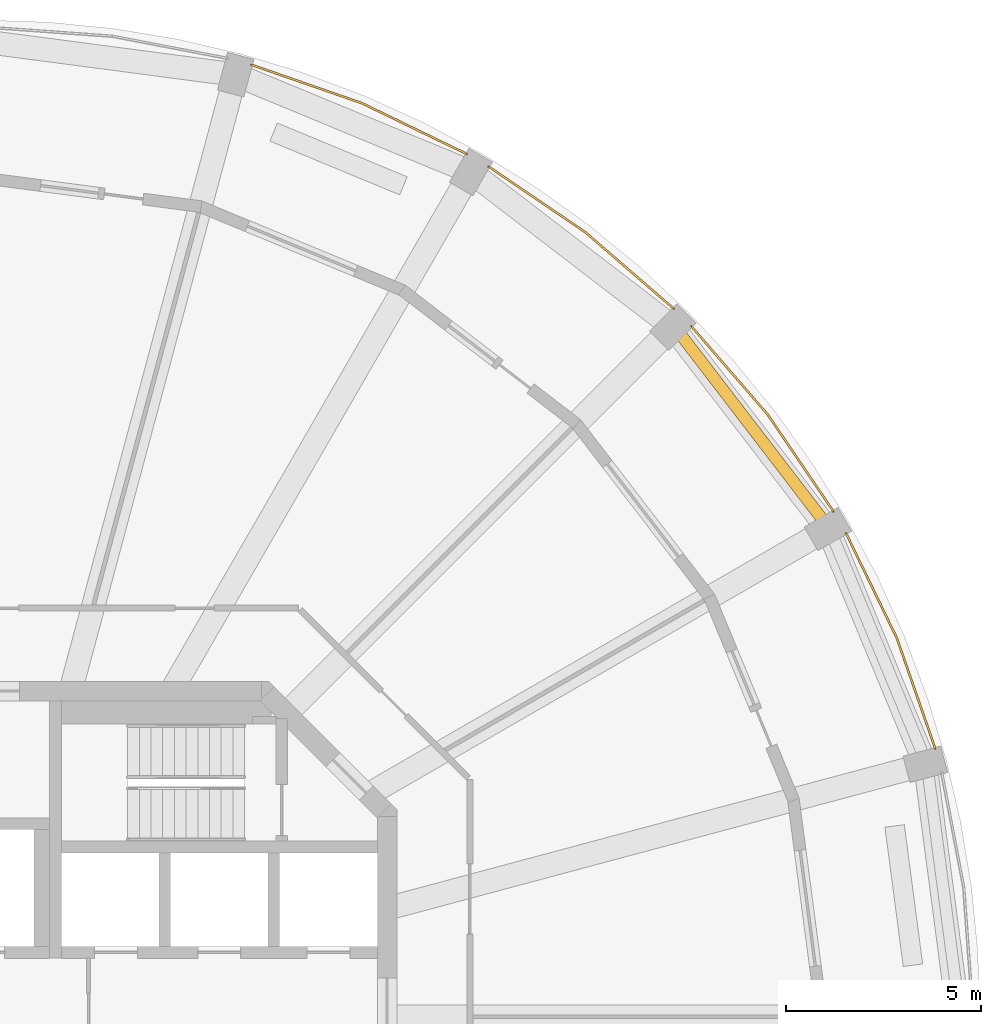
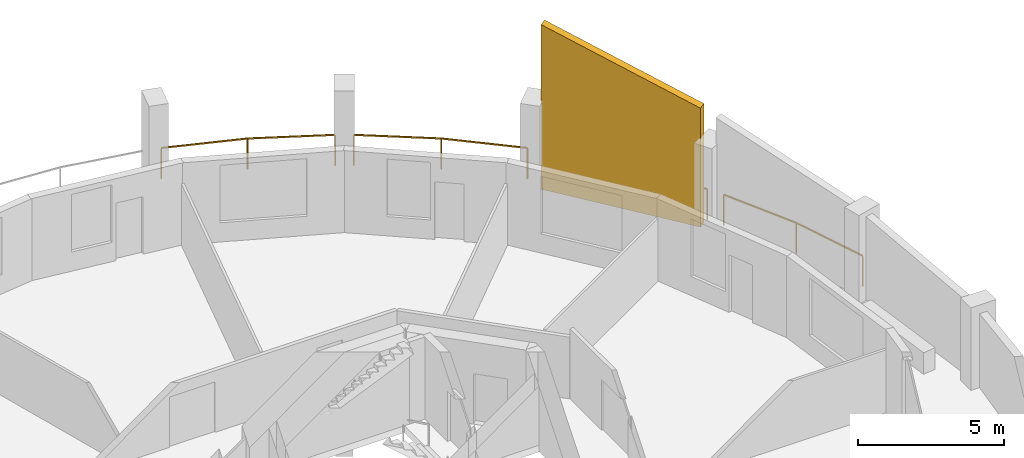
# One storey, part 8 of 8: 4 railings, 1 shading device.
"""IFC4 building model written with IfcOpenShell, lengths in metres."""

import ifcopenshell
import ifcopenshell.guid

model = None  # the IFC model being written
_history = None  # IfcOwnerHistory: only IFC2X3 demands one
_inside = {}  # id of a spatial element -> (the spatial element, [elements in it])
_under = {}  # id of a project, library or spatial element -> (it, [spatial elements below it])
_declared = {}  # id of a project -> (the project, [libraries it declares])
_typed = {}  # id of a type object -> (the type object, [elements of that type])
_made_of = {}  # id of a material, layer set ... -> (it, [elements and type objects made of it])


def new_model(schema):
    """Start an empty IFC model of exactly this schema.

    Asked for "IFC4X3", IfcOpenShell would pick the latest addendum, in which some entities
    have other attributes; the version numbers below select the first issue.
    IFC2X3 requires an IfcOwnerHistory on every rooted entity: one is made here for all.
    """
    global model, _history
    if schema == "IFC4X3":
        model = ifcopenshell.file(schema_version=(4, 3, 0, 0))
    else:
        model = ifcopenshell.file(schema=schema)
    _inside.clear()
    _under.clear()
    _declared.clear()
    _typed.clear()
    _made_of.clear()
    _history = None
    if model.schema == "IFC2X3":
        org = make("IfcOrganization", Name="unknown")
        user = make(
            "IfcPersonAndOrganization",
            ThePerson=make("IfcPerson", FamilyName="unknown"),
            TheOrganization=org,
        )
        app = make(
            "IfcApplication",
            ApplicationDeveloper=org,
            Version="unknown",
            ApplicationFullName="unknown",
            ApplicationIdentifier="unknown",
        )
        _history = make(
            "IfcOwnerHistory",
            OwningUser=user,
            OwningApplication=app,
            ChangeAction="ADDED",
            CreationDate=0,
        )
    return model


def make(cls, **values):
    """One entity of the class cls with the attributes given. An attribute that is None is left unset."""
    return model.create_entity(
        cls, **{name: value for name, value in values.items() if value is not None}
    )


def rooted(cls, **values):
    """An entity with a GlobalId (a new one), such as an element, a storey or a relation."""
    return make(cls, GlobalId=ifcopenshell.guid.new(), OwnerHistory=_history, **values)


def si_unit(unit_type, name, prefix=None):
    """IfcSIUnit, for example si_unit("LENGTHUNIT", "METRE", prefix="MILLI")."""
    return make("IfcSIUnit", UnitType=unit_type, Prefix=prefix, Name=name)


def assignment(units):
    """IfcUnitAssignment: the units of a project."""
    return None if units is None else make("IfcUnitAssignment", Units=units)


def point(xyz):
    """IfcCartesianPoint."""
    return None if xyz is None else make("IfcCartesianPoint", Coordinates=xyz)


def direction(xyz):
    """IfcDirection."""
    return None if xyz is None else make("IfcDirection", DirectionRatios=xyz)


def frame(location, z_axis=None, x_axis=None):
    """IfcAxis2Placement3D, a coordinate frame: its origin and axes. An axis left out is left unset."""
    return make(
        "IfcAxis2Placement3D",
        Location=point(location),
        Axis=direction(z_axis),
        RefDirection=direction(x_axis),
    )


def frame_2d(location, x_axis=None):
    """IfcAxis2Placement2D, a coordinate frame in the plane: its origin and x axis."""
    return make(
        "IfcAxis2Placement2D", Location=point(location), RefDirection=direction(x_axis)
    )


def origin():
    """The frame at (0, 0, 0) with its axes left unset."""
    return frame((0.0, 0.0, 0.0))


def origin_2d():
    """The frame at (0, 0) in the plane with its x axis left unset."""
    return frame_2d((0.0, 0.0))


def place(relative_to, where):
    """IfcLocalPlacement: puts the frame where relative to a parent placement (None: the world)."""
    return make(
        "IfcLocalPlacement", PlacementRelTo=relative_to, RelativePlacement=where
    )


def context(
    kind, dimensions, precision=None, world=None, true_north=None, identifier=None
):
    """IfcGeometricRepresentationContext, for example the 3D "Model" context."""
    return make(
        "IfcGeometricRepresentationContext",
        ContextIdentifier=identifier,
        ContextType=kind,
        CoordinateSpaceDimension=dimensions,
        Precision=precision,
        WorldCoordinateSystem=world,
        TrueNorth=true_north,
    )


def subcontext(parent, identifier, kind, view, scale=None):
    """IfcGeometricRepresentationSubContext, for example "Body" below "Model"."""
    return make(
        "IfcGeometricRepresentationSubContext",
        ContextIdentifier=identifier,
        ContextType=kind,
        ParentContext=parent,
        TargetScale=scale,
        TargetView=view,
    )


def project(units=None, contexts=None):
    """IfcProject with its units and contexts."""
    return rooted(
        "IfcProject",
        Name="project",
        RepresentationContexts=contexts,
        UnitsInContext=assignment(units),
    )


def spatial(cls, under=None, at=None, **own):
    """A site, building, storey or space (cls), placed at a placement, below another one or the project."""
    s = rooted(cls, ObjectPlacement=at, **own)
    if under is not None:
        _under.setdefault(under.id(), (under, []))[1].append(s)
    return s


def polyline(points):
    """IfcPolyline through the points."""
    return make("IfcPolyline", Points=[point(p) for p in points])


def profile(cls, at=None, kind="AREA", **sizes):
    """A parametric profile (cls). Its sizes go by their IFC names, for example OverallWidth=200.0."""
    return make(cls, ProfileType=kind, Position=at, **sizes)


def rectangle(**sizes):
    """IfcRectangleProfileDef."""
    return profile("IfcRectangleProfileDef", **sizes)


def outline(outer, holes=None, kind="AREA"):
    """IfcArbitraryClosedProfileDef: a profile drawn as a closed curve; with holes, ...WithVoids."""
    if holes is None:
        return make("IfcArbitraryClosedProfileDef", ProfileType=kind, OuterCurve=outer)
    return make(
        "IfcArbitraryProfileDefWithVoids",
        ProfileType=kind,
        OuterCurve=outer,
        InnerCurves=holes,
    )


def extrude(swept, where, along, depth):
    """IfcExtrudedAreaSolid: the profile swept, set in the frame where, extruded along a direction by depth."""
    return make(
        "IfcExtrudedAreaSolid",
        SweptArea=swept,
        Position=where,
        ExtrudedDirection=direction(along),
        Depth=depth,
    )


def shape(context_of_items, identifier, shape_type, items):
    """IfcShapeRepresentation: the items that make up one representation, for example the "Body"."""
    return make(
        "IfcShapeRepresentation",
        ContextOfItems=context_of_items,
        RepresentationIdentifier=identifier,
        RepresentationType=shape_type,
        Items=items,
    )


def material(Name=None, Category=None):
    """IfcMaterial."""
    return make("IfcMaterial", Name=Name, Category=Category)


def made_of(thing, what):
    """Note that an element or type object is made of a material, layer set ...; save() writes the relation."""
    if what is not None:
        _made_of.setdefault(what.id(), (what, []))[1].append(thing)
    return thing


def type_object(cls, material=None, **own):
    """A type object (cls), such as IfcWallType, which elements share."""
    return made_of(rooted(cls, **own), material)


def element(
    cls,
    number,
    at=None,
    inside=None,
    cuts=None,
    type_object=None,
    material=None,
    context=None,
    identifier="Body",
    shape_type=None,
    held_by="IfcProductDefinitionShape",
    body=None,
    shapes=None,
    **own,
):
    """One element of the class cls, such as IfcWall. Its Tag is "e" and its number.

    at: its placement. inside: the storey or other place that contains it. cuts: it is an
    opening in that element (IfcRelVoidsElement). A single representation is given by context,
    identifier, shape_type and body (its items); several are given by shapes. held_by: the class
    of the entity that holds the representations. save() writes the other relations.
    """
    e = rooted(cls, Tag="e%d" % number, ObjectPlacement=at, **own)
    if body is not None:
        shapes = [shape(context, identifier, shape_type, body)]
    if shapes is not None:
        e.Representation = make(held_by, Representations=shapes)
    if inside is not None:
        _inside.setdefault(inside.id(), (inside, []))[1].append(e)
    if cuts is not None:
        rooted(
            "IfcRelVoidsElement", RelatingBuildingElement=cuts, RelatedOpeningElement=e
        )
    if type_object is not None:
        _typed.setdefault(type_object.id(), (type_object, []))[1].append(e)
    return made_of(e, material)


def aggregate(whole, parts):
    """IfcRelAggregates: a whole, such as a stair, and the parts it consists of."""
    return rooted("IfcRelAggregates", RelatingObject=whole, RelatedObjects=parts)


def save(model, path):
    """Write the relations noted so far, then the file.

    IfcRelAggregates (storeys below a building ...), IfcRelContainedInSpatialStructure (elements
    in a storey), IfcRelDefinesByType, IfcRelAssociatesMaterial and IfcRelDeclares: one each for
    every whole, place, type object, material and project.
    """
    for whole, parts in _under.values():
        aggregate(whole, parts)
    for where, things in _inside.values():
        rooted(
            "IfcRelContainedInSpatialStructure",
            RelatedElements=things,
            RelatingStructure=where,
        )
    for kind, things in _typed.values():
        rooted("IfcRelDefinesByType", RelatedObjects=things, RelatingType=kind)
    for what, things in _made_of.values():
        rooted("IfcRelAssociatesMaterial", RelatedObjects=things, RelatingMaterial=what)
    for by, libraries in _declared.values():
        rooted("IfcRelDeclares", RelatingContext=by, RelatedDefinitions=libraries)
    model.write(path)


model = new_model("IFC4")

# Units and contexts
model_context = context("Model", 3, precision=1e-05, world=origin(), true_north=direction((0.0, 1.0)))
body_context = subcontext(model_context, "Body", "Model", "MODEL_VIEW")
ifc_project = project(units=[si_unit("LENGTHUNIT", "METRE"), si_unit("AREAUNIT", "SQUARE_METRE"), si_unit("VOLUMEUNIT", "CUBIC_METRE"), si_unit("PLANEANGLEUNIT", "RADIAN"), si_unit("MASSUNIT", "GRAM", prefix="KILO")], contexts=[model_context])

# Site, building, storey
site_placement = place(None, origin())
site = spatial("IfcSite", under=ifc_project, at=site_placement, CompositionType="ELEMENT")
building_placement = place(site_placement, origin())
building = spatial("IfcBuilding", under=site, at=building_placement, Name="Torre Triforio", CompositionType="ELEMENT")
storey_placement = place(building_placement, frame((0.0, 0.0, 287.10009765625)))
storey = spatial("IfcBuildingStorey", under=building, at=storey_placement, Name="L66", CompositionType="ELEMENT", Elevation=287.10009765625)

# Railings
ifc_material = material(Name="Stainless steel AISI 316", Category="steel")
railing_type = type_object("IfcRailingType", Name="Loggia guard 1300", PredefinedType="GUARDRAIL", material=ifc_material)
railing_1_placement = place(storey_placement, frame((24.4033203125, 6.8701171875, 0.0)))
element("IfcRailing", 1, at=railing_1_placement, inside=storey, type_object=railing_type, Name="Loggia guard L66 bay 02", PredefinedType="GUARDRAIL", context=body_context, shape_type="SweptSolid", body=[
    extrude(rectangle(XDim=0.050048828125, YDim=0.050048828125, at=origin_2d()), frame((0.0, 0.0, 1.27490234375), z_axis=(-0.328008659518, 0.944674716123, 0.0), x_axis=(-0.944674716123, -0.328008659518, 0.0)), (0.0, 0.0, 1.0), 2.99658203125),
    extrude(rectangle(XDim=0.050048828125, YDim=0.050048828125, at=origin_2d()), frame((-0.98291015625, 2.830810546875, 1.27490234375), z_axis=(-0.43600165335, 0.899945864081, 0.0), x_axis=(-0.899945864081, -0.43600165335, 0.0)), (0.0, 0.0, 1.0), 2.996826171875),
    extrude(rectangle(XDim=0.0400390625, YDim=0.0400390625, at=origin_2d()), origin(), (0.0, 0.0, 1.0), 1.25),
    extrude(rectangle(XDim=0.0400390625, YDim=0.0400390625, at=origin_2d()), frame((-0.98291015625, 2.830810546875, 0.0)), (0.0, 0.0, 1.0), 1.25),
    extrude(rectangle(XDim=0.0400390625, YDim=0.0400390625, at=origin_2d()), frame((-2.28955078125, 5.52783203125, 0.0)), (0.0, 0.0, 1.0), 1.25),
])
railing_2_placement = place(storey_placement, frame((21.793701171875, 12.9521484375, 0.0)))
element("IfcRailing", 2, at=railing_2_placement, inside=storey, type_object=railing_type, Name="Loggia guard L66 bay 03", PredefinedType="GUARDRAIL", context=body_context, shape_type="SweptSolid", body=[
    extrude(rectangle(XDim=0.050048828125, YDim=0.050048828125, at=origin_2d()), frame((0.0, 0.0, 1.27490234375), z_axis=(-0.561338037643, 0.82758661631, 0.0), x_axis=(-0.82758661631, -0.561338037643, 0.0)), (0.0, 0.0, 1.0), 2.99658203125),
    extrude(rectangle(XDim=0.050048828125, YDim=0.050048828125, at=origin_2d()), frame((-1.68212890625, 2.47998046875, 1.27490234375), z_axis=(-0.65409272915, 0.756414371673, 0.0), x_axis=(-0.756414371673, -0.65409272915, 0.0)), (0.0, 0.0, 1.0), 2.996826171875),
    extrude(rectangle(XDim=0.0400390625, YDim=0.0400390625, at=origin_2d()), origin(), (0.0, 0.0, 1.0), 1.25),
    extrude(rectangle(XDim=0.0400390625, YDim=0.0400390625, at=origin_2d()), frame((-1.68212890625, 2.47998046875, 0.0)), (0.0, 0.0, 1.0), 1.25),
    extrude(rectangle(XDim=0.0400390625, YDim=0.0400390625, at=origin_2d()), frame((-3.642333984375, 4.746826171875, 0.0)), (0.0, 0.0, 1.0), 1.25),
])
railing_3_placement = place(storey_placement, frame((17.698974609375, 18.1513671875, 0.0)))
element("IfcRailing", 3, at=railing_3_placement, inside=storey, type_object=railing_type, Name="Loggia guard L66 bay 04", PredefinedType="GUARDRAIL", context=body_context, shape_type="SweptSolid", body=[
    extrude(rectangle(XDim=0.050048828125, YDim=0.050048828125, at=origin_2d()), frame((0.0, 0.0, 1.27490234375), z_axis=(-0.756414371673, 0.65409272915, 0.0), x_axis=(-0.65409272915, -0.756414371673, 0.0)), (0.0, 0.0, 1.0), 2.996826171875),
    extrude(rectangle(XDim=0.050048828125, YDim=0.050048828125, at=origin_2d()), frame((-2.266845703125, 1.960205078125, 1.27490234375), z_axis=(-0.82758661631, 0.561338037643, 0.0), x_axis=(-0.561338037643, -0.82758661631, 0.0)), (0.0, 0.0, 1.0), 2.99658203125),
    extrude(rectangle(XDim=0.0400390625, YDim=0.0400390625, at=origin_2d()), origin(), (0.0, 0.0, 1.0), 1.25),
    extrude(rectangle(XDim=0.0400390625, YDim=0.0400390625, at=origin_2d()), frame((-2.266845703125, 1.960205078125, 0.0)), (0.0, 0.0, 1.0), 1.25),
    extrude(rectangle(XDim=0.0400390625, YDim=0.0400390625, at=origin_2d()), frame((-4.746826171875, 3.642333984375, 0.0)), (0.0, 0.0, 1.0), 1.25),
])
railing_4_placement = place(storey_placement, frame((12.39794921875, 22.11376953125, 0.0)))
element("IfcRailing", 4, at=railing_4_placement, inside=storey, type_object=railing_type, Name="Loggia guard L66 bay 05", PredefinedType="GUARDRAIL", context=body_context, shape_type="SweptSolid", body=[
    extrude(rectangle(XDim=0.050048828125, YDim=0.050048828125, at=origin_2d()), frame((0.0, 0.0, 1.27490234375), z_axis=(-0.899945864081, 0.43600165335, 0.0), x_axis=(-0.43600165335, -0.899945864081, 0.0)), (0.0, 0.0, 1.0), 2.996826171875),
    extrude(rectangle(XDim=0.050048828125, YDim=0.050048828125, at=origin_2d()), frame((-2.697021484375, 1.306640625, 1.27490234375), z_axis=(-0.944674716123, 0.328008659518, 0.0), x_axis=(-0.328008659518, -0.944674716123, 0.0)), (0.0, 0.0, 1.0), 2.99658203125),
    extrude(rectangle(XDim=0.0400390625, YDim=0.0400390625, at=origin_2d()), origin(), (0.0, 0.0, 1.0), 1.25),
    extrude(rectangle(XDim=0.0400390625, YDim=0.0400390625, at=origin_2d()), frame((-2.697021484375, 1.306640625, 0.0)), (0.0, 0.0, 1.0), 1.25),
    extrude(rectangle(XDim=0.0400390625, YDim=0.0400390625, at=origin_2d()), frame((-5.52783203125, 2.28955078125, 0.0)), (0.0, 0.0, 1.0), 1.25),
])

# Shading device
shading_device_placement = place(storey_placement, frame((21.490478515625, 12.777099609375, 0.0), z_axis=(0.0, 0.0, 1.0), x_axis=(-0.608755104033, 0.793358193576, 0.0)))
element("IfcShadingDevice", 5, at=shading_device_placement, inside=storey, Name="Crown louvre screen RF-1 bay 03 east", PredefinedType="JALOUSIE", context=body_context, shape_type="SweptSolid", body=[
    extrude(outline(polyline([(0.0, 0.0), (5.891845703125, 0.0), (5.891845703125, 6.865966796875), (0.0, 4.958984375), (0.0, 0.0)])), frame((0.0, 0.14990234375, 0.0), z_axis=(0.0, -1.0, 0.0), x_axis=(1.0, 0.0, 0.0)), (0.0, 0.0, 1.0), 0.300048828125),
])

save(model, "model.ifc")
